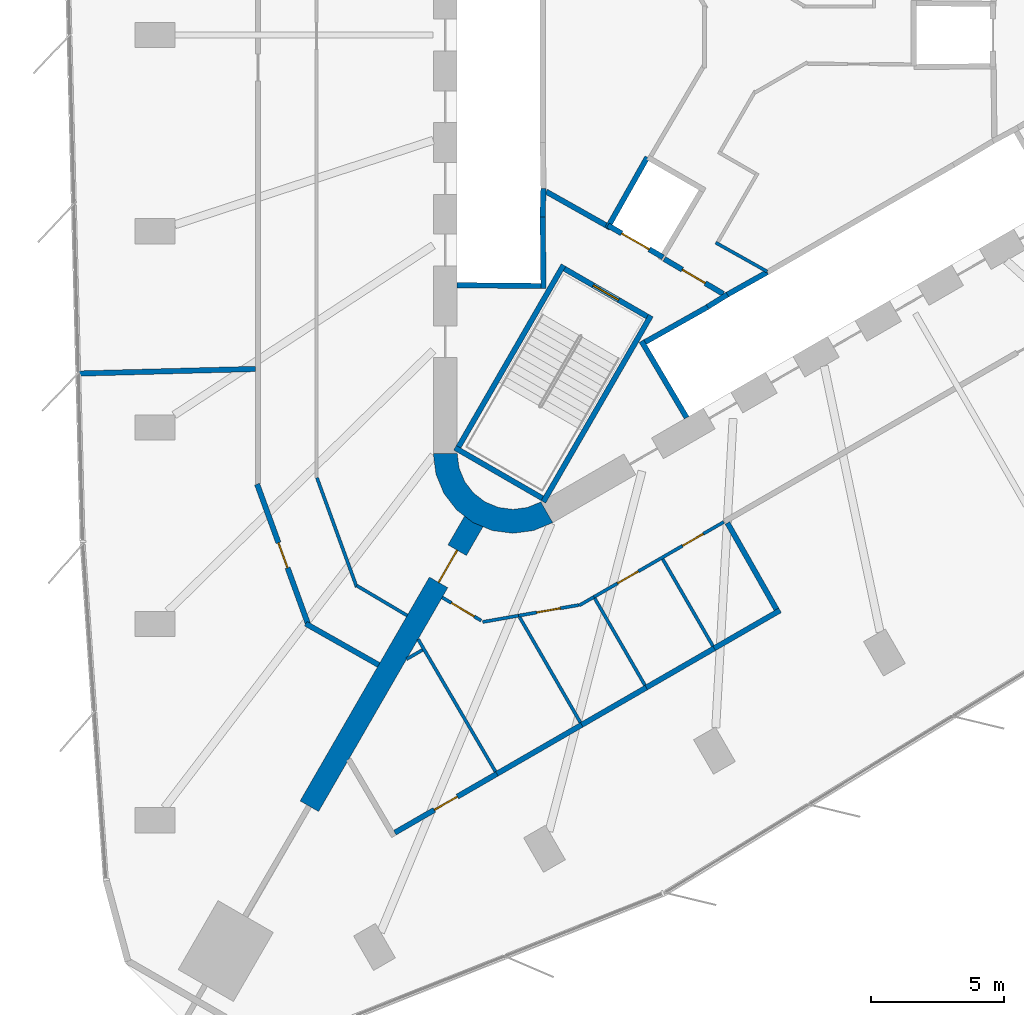
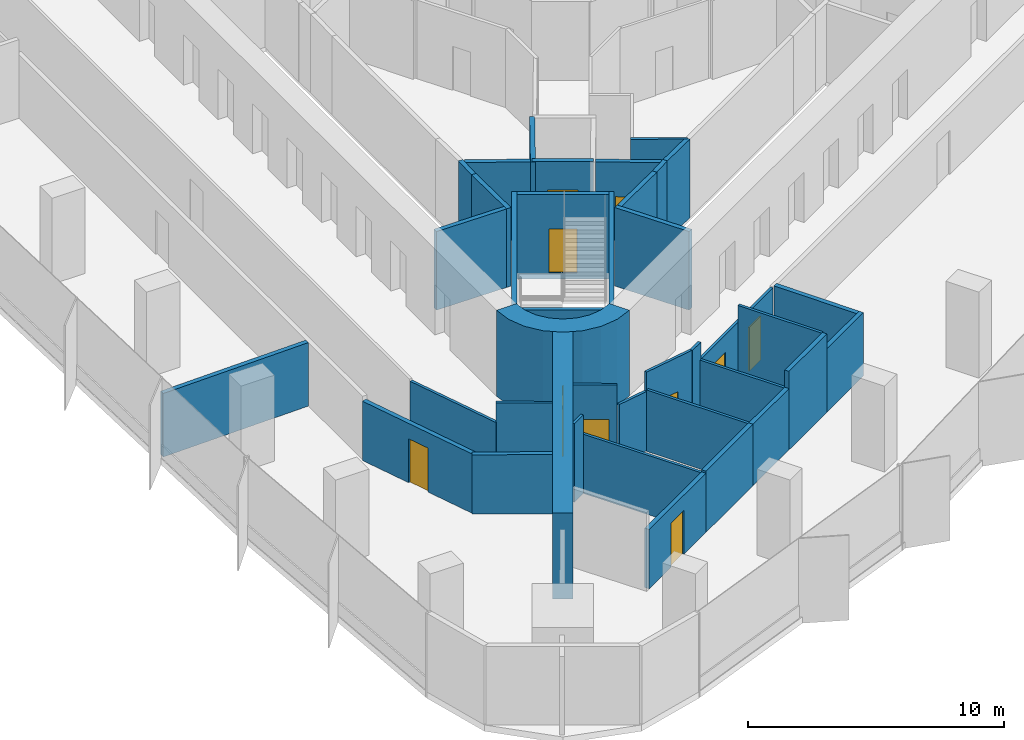
# One storey, part 8 of 14: 39 walls, 10 doors, 10 openings.
"""IFC4 building model written with IfcOpenShell, lengths in metres."""

from ifc_helpers import new_model, si_unit, direction, frame, frame_2d, origin, place, context, subcontext, project, spatial, polyline, rectangle, outline, extrude, material, layer, layer_set, type_object, element, fill, save


model = new_model("IFC4")

# Units and contexts
model_context = context("Model", 3, precision=1e-05, world=origin(), true_north=direction((0.0, 1.0)))
body_context = subcontext(model_context, "Body", "Model", "MODEL_VIEW")
ifc_project = project(units=[si_unit("LENGTHUNIT", "METRE"), si_unit("AREAUNIT", "SQUARE_METRE"), si_unit("VOLUMEUNIT", "CUBIC_METRE"), si_unit("PLANEANGLEUNIT", "RADIAN"), si_unit("MASSUNIT", "GRAM", prefix="KILO")], contexts=[model_context])

# Site, building, storey
site_placement = place(None, origin())
site = spatial("IfcSite", under=ifc_project, at=site_placement, CompositionType="ELEMENT")
building_placement = place(site_placement, origin())
building = spatial("IfcBuilding", under=site, at=building_placement, Name="Tanit Gate Tower", CompositionType="ELEMENT")
storey_placement = place(building_placement, frame((0.0, 0.0, 152.10009765625)))
storey = spatial("IfcBuildingStorey", under=building, at=storey_placement, Name="L33", CompositionType="ELEMENT", Elevation=152.10009765625)

# Wall, opening, door
ifc_material_1 = material(Name="Concrete C60/75", Category="concrete")
ifc_layer_1 = layer(ifc_material_1, 0.800048828125)
ifc_layer_set_1 = layer_set([ifc_layer_1], Name="BUTTRESS FIN 800 C60/75")
wall_type_1 = type_object("IfcWallType", Name="BUTTRESS FIN 800 C60/75", PredefinedType="SHEAR", material=ifc_layer_set_1)
wall_1_placement = place(storey_placement, frame((-10.574951171875, -18.31640625, 0.0), z_axis=(0.0, 0.0, 1.0), x_axis=(-0.500002326941, -0.86602406032, 0.0)))
wall_1 = element("IfcWall", 1, at=wall_1_placement, inside=storey, type_object=wall_type_1, Name="BUTTRESS FIN", PredefinedType="SHEAR", context=body_context, shape_type="SweptSolid", body=[
    extrude(rectangle(XDim=12.3837890625, YDim=0.800048828125, at=frame_2d((6.19189453125, 0.0))), origin(), (0.0, 0.0, 1.0), 4.099853515625),
])
opening_1_placement = place(wall_1_placement, frame((1.25, 0.0, 0.0)))
opening_1 = element("IfcOpeningElement", 2, at=opening_1_placement, cuts=wall_1, Name="Opening P14-S08-F-SW-1", PredefinedType="OPENING", context=body_context, shape_type="SweptSolid", body=[
    extrude(rectangle(XDim=1.39990234375, YDim=2.39990234375, at=frame_2d((0.699951171875, 1.199951171875))), frame((0.0, 0.41015625, 0.0), z_axis=(0.0, -1.0, 0.0), x_axis=(1.0, 0.0, 0.0)), (0.0, 0.0, 1.0), 0.820068359375),
])
ifc_material_2 = material(Name="Timber door leaf", Category="wood")
door_type_1 = type_object("IfcDoorType", Name="INT-DOOR-FIN-PAIR-1400", OperationType="NOTDEFINED", PredefinedType="NOTDEFINED", material=ifc_material_2)
door_1_placement = place(opening_1_placement, origin())
door_1 = element("IfcDoor", 3, at=door_1_placement, inside=storey, type_object=door_type_1, Name="Door P14-S08-F-SW-1", OperationType="DOUBLE_DOOR_SINGLE_SWING", OverallHeight=2.39990234375, OverallWidth=1.39990234375, PredefinedType="NOTDEFINED", context=body_context, shape_type="SweptSolid", body=[
    extrude(rectangle(XDim=1.39990234375, YDim=2.39990234375, at=frame_2d((0.699951171875, 1.199951171875))), frame((0.0, 0.02490234375, 0.0), z_axis=(0.0, -1.0, 0.0), x_axis=(1.0, 0.0, 0.0)), (0.0, 0.0, 1.0), 0.050048828125),
])
fill(opening_1, door_1)

# Walls
ifc_material_3 = material(Name="Concrete C60/75", Category="concrete")
ifc_layer_2 = layer(ifc_material_3, 0.89990234375)
ifc_layer_set_2 = layer_set([ifc_layer_2], Name="CORE WALL 900 C60/75")
wall_type_2 = type_object("IfcWallType", Name="CORE WALL 900 C60/75", PredefinedType="SHEAR", material=ifc_layer_set_2)
wall_2_placement = place(storey_placement, origin())
element("IfcWall", 4, at=wall_2_placement, inside=storey, type_object=wall_type_2, Name="CORE WALL CORNER", PredefinedType="SHEAR", context=body_context, shape_type="SweptSolid", body=[
    extrude(outline(polyline([(-12.10009765625, -15.76171875), (-11.997802734375, -16.5380859375), (-11.697998046875, -17.26171875), (-11.22119140625, -17.883056640625), (-10.60009765625, -18.359619140625), (-9.87646484375, -18.659423828125), (-9.10009765625, -18.76171875), (-8.323486328125, -18.659423828125), (-7.60009765625, -18.359619140625), (-8.050048828125, -17.580322265625), (-8.556396484375, -17.7900390625), (-9.10009765625, -17.86181640625), (-9.6435546875, -17.7900390625), (-10.14990234375, -17.580322265625), (-10.5849609375, -17.24658203125), (-10.918701171875, -16.811767578125), (-11.12841796875, -16.30517578125), (-11.199951171875, -15.76171875), (-12.10009765625, -15.76171875)])), origin(), (0.0, 0.0, 1.0), 4.099853515625),
])
ifc_material_4 = material(Name="Fire-rated gypsum board partition")
ifc_layer_3 = layer(ifc_material_4, 0.199951171875)
ifc_layer_set_3 = layer_set([ifc_layer_3], Name="INT-WALL-COMPARTMENT")
wall_type_3 = type_object("IfcWallType", Name="INT-WALL-COMPARTMENT", PredefinedType="PARTITIONING", material=ifc_layer_set_3)
wall_3_placement = place(storey_placement, frame((-7.84912109375, -5.893798828125, 0.0), z_axis=(0.0, 0.0, 1.0), x_axis=(0.871340486379, -0.490678873396, 0.0)))
element("IfcWall", 5, at=wall_3_placement, inside=storey, type_object=wall_type_3, Name="Wall Compartment W063", PredefinedType="PARTITIONING", context=body_context, shape_type="SweptSolid", body=[
    extrude(rectangle(XDim=2.580810546875, YDim=0.199951171875, at=frame_2d((1.29052734375, 0.0))), origin(), (0.0, 0.0, 1.0), 3.75),
])

# Wall, opening, door
wall_4_placement = place(storey_placement, frame((-3.400634765625, -8.43017578125, 0.0), z_axis=(0.0, 0.0, 1.0), x_axis=(0.860598681535, -0.509283721849, 0.0)))
wall_4 = element("IfcWall", 6, at=wall_4_placement, inside=storey, type_object=wall_type_3, Name="Wall Compartment W064", PredefinedType="PARTITIONING", context=body_context, shape_type="SweptSolid", body=[
    extrude(rectangle(XDim=2.5810546875, YDim=0.199951171875, at=frame_2d((1.29052734375, 0.0))), origin(), (0.0, 0.0, 1.0), 3.75),
])
opening_2_placement = place(wall_4_placement, frame((0.79052734375, 0.0, 0.0)))
opening_2 = element("IfcOpeningElement", 7, at=opening_2_placement, cuts=wall_4, Name="Opening F10-S08-08", PredefinedType="OPENING", context=body_context, shape_type="SweptSolid", body=[
    extrude(rectangle(XDim=1.0, YDim=2.10009765625, at=frame_2d((0.5, 1.050048828125))), frame((0.0, 0.10986328125, 0.0), z_axis=(0.0, -1.0, 0.0), x_axis=(1.0, 0.0, 0.0)), (0.0, 0.0, 1.0), 0.219970703125),
])
ifc_material_5 = material(Name="Fire-rated steel door leaf", Category="steel")
door_type_2 = type_object("IfcDoorType", Name="INT-DOOR-FIRE-1000", OperationType="NOTDEFINED", PredefinedType="USERDEFINED", material=ifc_material_5)
door_2_placement = place(opening_2_placement, origin())
door_2 = element("IfcDoor", 8, at=door_2_placement, inside=storey, type_object=door_type_2, Name="Door F10-S08-08", ObjectType="FIRE DOOR", OperationType="SINGLE_SWING_LEFT", OverallHeight=2.10009765625, OverallWidth=1.0, PredefinedType="USERDEFINED", context=body_context, shape_type="SweptSolid", body=[
    extrude(rectangle(XDim=1.0, YDim=2.10009765625, at=frame_2d((0.5, 1.050048828125))), frame((0.0, 0.02490234375, 0.0), z_axis=(0.0, -1.0, 0.0), x_axis=(1.0, 0.0, 0.0)), (0.0, 0.0, 1.0), 0.050048828125),
])
fill(opening_2, door_2)

# Wall
wall_5_placement = place(storey_placement, frame((-16.902587890625, -22.16552734375, 0.0), z_axis=(0.0, 0.0, 1.0), x_axis=(0.870335069356, -0.492460015686, 0.0)))
element("IfcWall", 9, at=wall_5_placement, inside=storey, type_object=wall_type_3, Name="Wall Compartment W091", PredefinedType="PARTITIONING", context=body_context, shape_type="SweptSolid", body=[
    extrude(rectangle(XDim=3.155517578125, YDim=0.199951171875, at=frame_2d((1.57763671875, 0.0))), origin(), (0.0, 0.0, 1.0), 2.829833984375),
])

# Wall, opening, door
wall_6_placement = place(storey_placement, frame((-18.734130859375, -16.910888671875, 0.0), z_axis=(0.0, 0.0, 1.0), x_axis=(0.342022840992, -0.939691638911, 0.0)))
wall_6 = element("IfcWall", 10, at=wall_6_placement, inside=storey, type_object=wall_type_3, Name="Wall Compartment W092", PredefinedType="PARTITIONING", context=body_context, shape_type="SweptSolid", body=[
    extrude(rectangle(XDim=5.60498046875, YDim=0.199951171875, at=frame_2d((2.802490234375, 0.0))), origin(), (0.0, 0.0, 1.0), 2.829833984375),
])
opening_3_placement = place(wall_6_placement, frame((2.352294921875, 0.0, 0.0)))
opening_3 = element("IfcOpeningElement", 11, at=opening_3_placement, cuts=wall_6, Name="Opening F10-S08-25", PredefinedType="OPENING", context=body_context, shape_type="SweptSolid", body=[
    extrude(rectangle(XDim=1.0, YDim=2.10009765625, at=frame_2d((0.5, 1.050048828125))), frame((0.0, 0.10986328125, 0.0), z_axis=(0.0, -1.0, 0.0), x_axis=(1.0, 0.0, 0.0)), (0.0, 0.0, 1.0), 0.219970703125),
])
door_3_placement = place(opening_3_placement, origin())
door_3 = element("IfcDoor", 12, at=door_3_placement, inside=storey, type_object=door_type_2, Name="Door F10-S08-25", ObjectType="FIRE DOOR", OperationType="SINGLE_SWING_LEFT", OverallHeight=2.10009765625, OverallWidth=1.0, PredefinedType="USERDEFINED", context=body_context, shape_type="SweptSolid", body=[
    extrude(rectangle(XDim=1.0, YDim=2.10009765625, at=frame_2d((0.5, 1.050048828125))), frame((0.0, 0.02490234375, 0.0), z_axis=(0.0, -1.0, 0.0), x_axis=(1.0, 0.0, 0.0)), (0.0, 0.0, 1.0), 0.050048828125),
])
fill(opening_3, door_3)

# Walls
wall_7_placement = place(storey_placement, frame((-25.456787109375, -12.74609375, 0.0), z_axis=(0.0, 0.0, 1.0), x_axis=(0.999663993994, 0.025921016788, 0.0)))
element("IfcWall", 13, at=wall_7_placement, inside=storey, type_object=wall_type_3, Name="Wall Compartment W115", PredefinedType="PARTITIONING", context=body_context, shape_type="SweptSolid", body=[
    extrude(rectangle(XDim=6.658935546875, YDim=0.199951171875, at=frame_2d((3.32958984375, 0.0))), origin(), (0.0, 0.0, 1.0), 3.02978515625),
])
wall_8_placement = place(storey_placement, frame((0.959716796875, -21.662353515625, 0.0), z_axis=(0.0, 0.0, 1.0), x_axis=(-0.866040716581, -0.499973476521, 0.0)))
element("IfcWall", 14, at=wall_8_placement, inside=storey, type_object=wall_type_3, Name="Wall Compartment W130", PredefinedType="PARTITIONING", context=body_context, shape_type="SweptSolid", body=[
    extrude(rectangle(XDim=2.862548828125, YDim=0.199951171875, at=frame_2d((1.43115234375, 0.0))), origin(), (0.0, 0.0, 1.0), 3.02978515625),
])
wall_9_placement = place(storey_placement, frame((-1.519287109375, -23.093505859375, 0.0), z_axis=(0.0, 0.0, 1.0), x_axis=(-0.865987495984, -0.500065652488, 0.0)))
element("IfcWall", 15, at=wall_9_placement, inside=storey, type_object=wall_type_3, Name="Wall Compartment W132", PredefinedType="PARTITIONING", context=body_context, shape_type="SweptSolid", body=[
    extrude(rectangle(XDim=2.95556640625, YDim=0.199951171875, at=frame_2d((1.477783203125, 0.0))), origin(), (0.0, 0.0, 1.0), 3.75),
])
wall_10_placement = place(storey_placement, frame((-4.078857421875, -24.571533203125, 0.0), z_axis=(0.0, 0.0, 1.0), x_axis=(-0.8660392398, -0.499976034552, 0.0)))
element("IfcWall", 16, at=wall_10_placement, inside=storey, type_object=wall_type_3, Name="Wall Compartment W133", PredefinedType="PARTITIONING", context=body_context, shape_type="SweptSolid", body=[
    extrude(rectangle(XDim=2.805908203125, YDim=0.199951171875, at=frame_2d((1.40283203125, 0.0))), origin(), (0.0, 0.0, 1.0), 2.929931640625),
])
wall_11_placement = place(storey_placement, frame((-6.5087890625, -25.974365234375, 0.0), z_axis=(0.0, 0.0, 1.0), x_axis=(-0.86602156466, -0.500006649499, 0.0)))
element("IfcWall", 17, at=wall_11_placement, inside=storey, type_object=wall_type_3, Name="Wall Compartment W134", PredefinedType="PARTITIONING", context=body_context, shape_type="SweptSolid", body=[
    extrude(rectangle(XDim=3.693359375, YDim=0.199951171875, at=frame_2d((1.8466796875, 0.0))), origin(), (0.0, 0.0, 1.0), 2.929931640625),
])

# Wall, opening, door
wall_12_placement = place(storey_placement, frame((-9.707275390625, -27.821044921875, 0.0), z_axis=(0.0, 0.0, 1.0), x_axis=(-0.866031500321, -0.49998944034, 0.0)))
wall_12 = element("IfcWall", 18, at=wall_12_placement, inside=storey, type_object=wall_type_3, Name="Wall Compartment W136", PredefinedType="PARTITIONING", context=body_context, shape_type="SweptSolid", body=[
    extrude(rectangle(XDim=4.4326171875, YDim=0.199951171875, at=frame_2d((2.21630859375, 0.0))), origin(), (0.0, 0.0, 1.0), 2.829833984375),
])
opening_4_placement = place(wall_12_placement, frame((1.71630859375, 0.0, 0.0)))
opening_4 = element("IfcOpeningElement", 19, at=opening_4_placement, cuts=wall_12, Name="Opening F10-S08-24", PredefinedType="OPENING", context=body_context, shape_type="SweptSolid", body=[
    extrude(rectangle(XDim=1.0, YDim=2.10009765625, at=frame_2d((0.5, 1.050048828125))), frame((0.0, 0.10986328125, 0.0), z_axis=(0.0, -1.0, 0.0), x_axis=(1.0, 0.0, 0.0)), (0.0, 0.0, 1.0), 0.219970703125),
])
door_4_placement = place(opening_4_placement, origin())
door_4 = element("IfcDoor", 20, at=door_4_placement, inside=storey, type_object=door_type_2, Name="Door F10-S08-24", ObjectType="FIRE DOOR", OperationType="SINGLE_SWING_RIGHT", OverallHeight=2.10009765625, OverallWidth=1.0, PredefinedType="USERDEFINED", context=body_context, shape_type="SweptSolid", body=[
    extrude(rectangle(XDim=1.0, YDim=2.10009765625, at=frame_2d((0.5, 1.050048828125))), frame((0.0, 0.02490234375, 0.0), z_axis=(0.0, -1.0, 0.0), x_axis=(1.0, 0.0, 0.0)), (0.0, 0.0, 1.0), 0.050048828125),
])
fill(opening_4, door_4)

# Walls
wall_13_placement = place(storey_placement, frame((-1.021484375, -18.3720703125, 0.0), z_axis=(0.0, 0.0, 1.0), x_axis=(0.493366643235, -0.869821450266, 0.0)))
element("IfcWall", 21, at=wall_13_placement, inside=storey, type_object=wall_type_3, Name="Wall Compartment W131", PredefinedType="PARTITIONING", context=body_context, shape_type="SweptSolid", body=[
    extrude(rectangle(XDim=3.739990234375, YDim=0.199951171875, at=frame_2d((1.8701171875, 0.0))), origin(), (0.0, 0.0, 1.0), 3.02978515625),
])
ifc_material_6 = material(Name="Gypsum board partition")
ifc_layer_4 = layer(ifc_material_6, 0.1201171875)
ifc_layer_set_4 = layer_set([ifc_layer_4], Name="INT-WALL-PARTITION")
wall_type_4 = type_object("IfcWallType", Name="INT-WALL-PARTITION", PredefinedType="PARTITIONING", material=ifc_layer_set_4)
wall_14_placement = place(storey_placement, frame((-1.464111328125, -7.81591796875, 0.0), z_axis=(0.0, 0.0, 1.0), x_axis=(0.871880202732, -0.489719217597, 0.0)))
element("IfcWall", 22, at=wall_14_placement, inside=storey, type_object=wall_type_4, Name="Wall Partition W068", PredefinedType="PARTITIONING", context=body_context, shape_type="SweptSolid", body=[
    extrude(rectangle(XDim=2.224365234375, YDim=0.1201171875, at=frame_2d((1.1123046875, 0.0))), origin(), (0.0, 0.0, 1.0), 3.75),
])
wall_15_placement = place(storey_placement, frame((-16.4794921875, -16.67333984375, 0.0), z_axis=(0.0, 0.0, 1.0), x_axis=(0.342025144217, -0.939690800595, 0.0)))
element("IfcWall", 23, at=wall_15_placement, inside=storey, type_object=wall_type_4, Name="Wall Partition W089", PredefinedType="PARTITIONING", context=body_context, shape_type="SweptSolid", body=[
    extrude(rectangle(XDim=4.377685546875, YDim=0.1201171875, at=frame_2d((2.18896484375, 0.0))), origin(), (0.0, 0.0, 1.0), 2.829833984375),
])
wall_16_placement = place(storey_placement, frame((-14.9833984375, -20.732421875, 0.0), z_axis=(0.0, 0.0, 1.0), x_axis=(0.860268204019, -0.509841756973, 0.0)))
element("IfcWall", 24, at=wall_16_placement, inside=storey, type_object=wall_type_4, Name="Wall Partition W090", PredefinedType="PARTITIONING", context=body_context, shape_type="SweptSolid", body=[
    extrude(rectangle(XDim=2.2099609375, YDim=0.1201171875, at=frame_2d((1.10498046875, 0.0))), origin(), (0.0, 0.0, 1.0), 3.75),
])
wall_17_placement = place(storey_placement, frame((-6.609375, -21.48291015625, 0.0), z_axis=(0.0, 0.0, 1.0), x_axis=(0.865865073245, 0.500277597875, 0.0)))
element("IfcWall", 25, at=wall_17_placement, inside=storey, type_object=wall_type_4, Name="Wall Partition W111", PredefinedType="PARTITIONING", context=body_context, shape_type="SweptSolid", body=[
    extrude(rectangle(XDim=0.647216796875, YDim=0.1201171875, at=frame_2d((0.32373046875, 0.0))), origin(), (0.0, 0.0, 1.0), 3.75),
])

# Wall, openings, doors
wall_18_placement = place(storey_placement, frame((-6.049072265625, -21.1591796875, 0.0), z_axis=(0.0, 0.0, 1.0), x_axis=(0.866040189422, 0.499974389651, 0.0)))
wall_18 = element("IfcWall", 26, at=wall_18_placement, inside=storey, type_object=wall_type_4, Name="Wall Partition W110", PredefinedType="PARTITIONING", context=body_context, shape_type="SweptSolid", body=[
    extrude(rectangle(XDim=5.648193359375, YDim=0.1201171875, at=frame_2d((2.82421875, 0.0))), origin(), (0.0, 0.0, 1.0), 2.929931640625),
])
opening_5_placement = place(wall_18_placement, frame((3.85205078125, 0.0, 0.0)))
opening_5 = element("IfcOpeningElement", 27, at=opening_5_placement, cuts=wall_18, Name="Opening D09-S08-20", PredefinedType="OPENING", context=body_context, shape_type="SweptSolid", body=[
    extrude(rectangle(XDim=0.89990234375, YDim=2.10009765625, at=frame_2d((0.449951171875, 1.050048828125))), frame((0.0, 0.070068359375, 0.0), z_axis=(0.0, -1.0, 0.0), x_axis=(1.0, 0.0, 0.0)), (0.0, 0.0, 1.0), 0.14013671875),
])
opening_6_placement = place(wall_18_placement, frame((1.02783203125, 0.0, 0.0)))
opening_6 = element("IfcOpeningElement", 28, at=opening_6_placement, cuts=wall_18, Name="Opening D09-S08-21", PredefinedType="OPENING", context=body_context, shape_type="SweptSolid", body=[
    extrude(rectangle(XDim=0.89990234375, YDim=2.10009765625, at=frame_2d((0.449951171875, 1.050048828125))), frame((0.0, 0.070068359375, 0.0), z_axis=(0.0, -1.0, 0.0), x_axis=(1.0, 0.0, 0.0)), (0.0, 0.0, 1.0), 0.14013671875),
])
ifc_material_7 = material(Name="Timber door leaf", Category="wood")
door_type_3 = type_object("IfcDoorType", Name="INT-DOOR-SINGLE-900", OperationType="NOTDEFINED", PredefinedType="NOTDEFINED", material=ifc_material_7)
door_5_placement = place(opening_5_placement, origin())
door_5 = element("IfcDoor", 29, at=door_5_placement, inside=storey, type_object=door_type_3, Name="Door D09-S08-20", OperationType="SINGLE_SWING_LEFT", OverallHeight=2.10009765625, OverallWidth=0.89990234375, PredefinedType="NOTDEFINED", context=body_context, shape_type="SweptSolid", body=[
    extrude(rectangle(XDim=0.89990234375, YDim=2.10009765625, at=frame_2d((0.449951171875, 1.050048828125))), frame((0.0, 0.02490234375, 0.0), z_axis=(0.0, -1.0, 0.0), x_axis=(1.0, 0.0, 0.0)), (0.0, 0.0, 1.0), 0.050048828125),
])
fill(opening_5, door_5)
door_6_placement = place(opening_6_placement, origin())
door_6 = element("IfcDoor", 30, at=door_6_placement, inside=storey, type_object=door_type_3, Name="Door D09-S08-21", OperationType="SINGLE_SWING_LEFT", OverallHeight=2.10009765625, OverallWidth=0.89990234375, PredefinedType="NOTDEFINED", context=body_context, shape_type="SweptSolid", body=[
    extrude(rectangle(XDim=0.89990234375, YDim=2.10009765625, at=frame_2d((0.449951171875, 1.050048828125))), frame((0.0, 0.02490234375, 0.0), z_axis=(0.0, -1.0, 0.0), x_axis=(1.0, 0.0, 0.0)), (0.0, 0.0, 1.0), 0.050048828125),
])
fill(opening_6, door_6)

# Wall
wall_19_placement = place(storey_placement, frame((-10.2392578125, -22.10205078125, 0.0), z_axis=(0.0, 0.0, 1.0), x_axis=(0.984801523662, 0.173683502361, 0.0)))
element("IfcWall", 31, at=wall_19_placement, inside=storey, type_object=wall_type_4, Name="Wall Partition W113", PredefinedType="PARTITIONING", context=body_context, shape_type="SweptSolid", body=[
    extrude(rectangle(XDim=1.36767578125, YDim=0.1201171875, at=frame_2d((0.683837890625, 0.0))), origin(), (0.0, 0.0, 1.0), 2.829833984375),
])

# Wall, opening, door
wall_20_placement = place(storey_placement, frame((-8.892333984375, -21.864501953125, 0.0), z_axis=(0.0, 0.0, 1.0), x_axis=(0.984802696179, 0.17367685395, 0.0)))
wall_20 = element("IfcWall", 32, at=wall_20_placement, inside=storey, type_object=wall_type_4, Name="Wall Partition W112", PredefinedType="PARTITIONING", context=body_context, shape_type="SweptSolid", body=[
    extrude(rectangle(XDim=2.31103515625, YDim=0.1201171875, at=frame_2d((1.155517578125, 0.0))), origin(), (0.0, 0.0, 1.0), 3.75),
])
opening_7_placement = place(wall_20_placement, frame((0.70556640625, 0.0, 0.0)))
opening_7 = element("IfcOpeningElement", 33, at=opening_7_placement, cuts=wall_20, Name="Opening D09-S08-22", PredefinedType="OPENING", context=body_context, shape_type="SweptSolid", body=[
    extrude(rectangle(XDim=0.89990234375, YDim=2.10009765625, at=frame_2d((0.449951171875, 1.050048828125))), frame((0.0, 0.070068359375, 0.0), z_axis=(0.0, -1.0, 0.0), x_axis=(1.0, 0.0, 0.0)), (0.0, 0.0, 1.0), 0.14013671875),
])
door_7_placement = place(opening_7_placement, origin())
door_7 = element("IfcDoor", 34, at=door_7_placement, inside=storey, type_object=door_type_3, Name="Door D09-S08-22", OperationType="SINGLE_SWING_RIGHT", OverallHeight=2.10009765625, OverallWidth=0.89990234375, PredefinedType="NOTDEFINED", context=body_context, shape_type="SweptSolid", body=[
    extrude(rectangle(XDim=0.89990234375, YDim=2.10009765625, at=frame_2d((0.449951171875, 1.050048828125))), frame((0.0, 0.02490234375, 0.0), z_axis=(0.0, -1.0, 0.0), x_axis=(1.0, 0.0, 0.0)), (0.0, 0.0, 1.0), 0.050048828125),
])
fill(opening_7, door_7)

wall_21_placement = place(storey_placement, frame((-11.764404296875, -21.176513671875, 0.0), z_axis=(0.0, 0.0, 1.0), x_axis=(0.859089516353, -0.511825363667, 0.0)))
wall_21 = element("IfcWall", 35, at=wall_21_placement, inside=storey, type_object=wall_type_4, Name="Wall Partition W114", PredefinedType="PARTITIONING", context=body_context, shape_type="SweptSolid", body=[
    extrude(rectangle(XDim=1.708984375, YDim=0.1201171875, at=frame_2d((0.8544921875, 0.0))), origin(), (0.0, 0.0, 1.0), 3.75),
])
opening_8_placement = place(wall_21_placement, frame((0.404541015625, 0.0, 0.0)))
opening_8 = element("IfcOpeningElement", 36, at=opening_8_placement, cuts=wall_21, Name="Opening D10-S08-23", PredefinedType="OPENING", context=body_context, shape_type="SweptSolid", body=[
    extrude(rectangle(XDim=1.0, YDim=2.10009765625, at=frame_2d((0.5, 1.050048828125))), frame((0.0, 0.070068359375, 0.0), z_axis=(0.0, -1.0, 0.0), x_axis=(1.0, 0.0, 0.0)), (0.0, 0.0, 1.0), 0.14013671875),
])
ifc_material_8 = material(Name="Timber door leaf", Category="wood")
door_type_4 = type_object("IfcDoorType", Name="INT-DOOR-SINGLE-1000", OperationType="NOTDEFINED", PredefinedType="NOTDEFINED", material=ifc_material_8)
door_8_placement = place(opening_8_placement, origin())
door_8 = element("IfcDoor", 37, at=door_8_placement, inside=storey, type_object=door_type_4, Name="Door D10-S08-23", OperationType="SINGLE_SWING_RIGHT", OverallHeight=2.10009765625, OverallWidth=1.0, PredefinedType="NOTDEFINED", context=body_context, shape_type="SweptSolid", body=[
    extrude(rectangle(XDim=1.0, YDim=2.10009765625, at=frame_2d((0.5, 1.050048828125))), frame((0.0, 0.02490234375, 0.0), z_axis=(0.0, -1.0, 0.0), x_axis=(1.0, 0.0, 0.0)), (0.0, 0.0, 1.0), 0.050048828125),
])
fill(opening_8, door_8)

# Walls
wall_22_placement = place(storey_placement, frame((-1.5693359375, -23.007080078125, 0.0), z_axis=(0.0, 0.0, 1.0), x_axis=(-0.499966587594, 0.866044693586, 0.0)))
element("IfcWall", 38, at=wall_22_placement, inside=storey, type_object=wall_type_4, Name="Wall Partition W140", PredefinedType="PARTITIONING", context=body_context, shape_type="SweptSolid", body=[
    extrude(rectangle(XDim=3.780029296875, YDim=0.1201171875, at=frame_2d((1.89013671875, 0.0))), origin(), (0.0, 0.0, 1.0), 3.75),
])
wall_23_placement = place(storey_placement, frame((-4.12890625, -24.48486328125, 0.0), z_axis=(0.0, 0.0, 1.0), x_axis=(-0.500015027522, 0.866016727467, 0.0)))
element("IfcWall", 39, at=wall_23_placement, inside=storey, type_object=wall_type_4, Name="Wall Partition W141", PredefinedType="PARTITIONING", context=body_context, shape_type="SweptSolid", body=[
    extrude(rectangle(XDim=3.7802734375, YDim=0.1201171875, at=frame_2d((1.89013671875, 0.0))), origin(), (0.0, 0.0, 1.0), 2.929931640625),
])
wall_24_placement = place(storey_placement, frame((-6.558837890625, -25.8876953125, 0.0), z_axis=(0.0, 0.0, 1.0), x_axis=(-0.499994486038, 0.866028587248, 0.0)))
element("IfcWall", 40, at=wall_24_placement, inside=storey, type_object=wall_type_4, Name="Wall Partition W142", PredefinedType="PARTITIONING", context=body_context, shape_type="SweptSolid", body=[
    extrude(rectangle(XDim=4.58349609375, YDim=0.1201171875, at=frame_2d((2.291748046875, 0.0))), origin(), (0.0, 0.0, 1.0), 2.929931640625),
])
wall_25_placement = place(storey_placement, frame((-12.672607421875, -22.74951171875, 0.0), z_axis=(0.0, 0.0, 1.0), x_axis=(0.504751362892, -0.863264769152, 0.0)))
element("IfcWall", 41, at=wall_25_placement, inside=storey, type_object=wall_type_4, Name="Wall Partition W143", PredefinedType="PARTITIONING", context=body_context, shape_type="SweptSolid", body=[
    extrude(rectangle(XDim=5.774658203125, YDim=0.1201171875, at=frame_2d((2.88720703125, 0.0))), origin(), (0.0, 0.0, 1.0), 2.829833984375),
])
wall_26_placement = place(storey_placement, frame((-12.505126953125, -23.15478515625, 0.0), z_axis=(0.0, 0.0, 1.0), x_axis=(-0.866138803259, -0.49980353489, 0.0)))
element("IfcWall", 42, at=wall_26_placement, inside=storey, type_object=wall_type_4, Name="Wall Partition W144", PredefinedType="PARTITIONING", context=body_context, shape_type="SweptSolid", body=[
    extrude(rectangle(XDim=0.695068359375, YDim=0.1201171875, at=frame_2d((0.34765625, 0.0))), origin(), (0.0, 0.0, 1.0), 3.75),
])
ifc_material_9 = material(Name="Gypsum shaft wall system")
ifc_layer_5 = layer(ifc_material_9, 0.199951171875)
ifc_layer_set_5 = layer_set([ifc_layer_5], Name="INT-WALL-SHAFT")
wall_type_5 = type_object("IfcWallType", Name="INT-WALL-SHAFT", PredefinedType="PLUMBINGWALL", material=ifc_layer_set_5)
wall_27_placement = place(storey_placement, frame((-7.949951171875, -5.7724609375, 0.0), z_axis=(0.0, 0.0, 1.0), x_axis=(-0.030803413295, -0.999525462272, 0.0)))
element("IfcWall", 43, at=wall_27_placement, inside=storey, type_object=wall_type_5, Name="Wall Shaft W009", PredefinedType="PLUMBINGWALL", context=body_context, shape_type="SweptSolid", body=[
    extrude(rectangle(XDim=1.077880859375, YDim=0.199951171875, at=frame_2d((0.5390625, 0.0))), origin(), (0.0, 0.0, 1.0), 3.75),
])
wall_28_placement = place(storey_placement, frame((-7.97900390625, -6.85009765625, 0.0), z_axis=(0.0, 0.0, 1.0), x_axis=(0.011121475088, -0.999938154483, 0.0)))
element("IfcWall", 44, at=wall_28_placement, inside=storey, type_object=wall_type_5, Name="Wall Shaft W011", PredefinedType="PLUMBINGWALL", context=body_context, shape_type="SweptSolid", body=[
    extrude(rectangle(XDim=2.7001953125, YDim=0.199951171875, at=frame_2d((1.35009765625, 0.0))), origin(), (0.0, 0.0, 1.0), 3.75),
])
wall_29_placement = place(storey_placement, frame((-8.050048828125, -9.448974609375, 0.0), z_axis=(0.0, 0.0, 1.0), x_axis=(-0.999957467379, 0.009222983926, 0.0)))
element("IfcWall", 45, at=wall_29_placement, inside=storey, type_object=wall_type_5, Name="Wall Shaft W012", PredefinedType="PLUMBINGWALL", context=body_context, shape_type="SweptSolid", body=[
    extrude(rectangle(XDim=3.150146484375, YDim=0.199951171875, at=frame_2d((1.5751953125, 0.0))), origin(), (0.0, 0.0, 1.0), 3.75),
])
wall_30_placement = place(storey_placement, frame((-2.557861328125, -14.409423828125, 0.0), z_axis=(0.0, 0.0, 1.0), x_axis=(-0.507997497166, 0.861358544901, 0.0)))
element("IfcWall", 46, at=wall_30_placement, inside=storey, type_object=wall_type_5, Name="Wall Shaft W027", PredefinedType="PLUMBINGWALL", context=body_context, shape_type="SweptSolid", body=[
    extrude(rectangle(XDim=3.350341796875, YDim=0.199951171875, at=frame_2d((1.67529296875, 0.0))), origin(), (0.0, 0.0, 1.0), 3.75),
])
wall_31_placement = place(storey_placement, frame((-1.7685546875, -10.23681640625, 0.0), z_axis=(0.0, 0.0, 1.0), x_axis=(-0.871534483978, -0.490334215854, 0.0)))
element("IfcWall", 47, at=wall_31_placement, inside=storey, type_object=wall_type_5, Name="Wall Shaft W028", PredefinedType="PLUMBINGWALL", context=body_context, shape_type="SweptSolid", body=[
    extrude(rectangle(XDim=2.7001953125, YDim=0.199951171875, at=frame_2d((1.35009765625, 0.0))), origin(), (0.0, 0.0, 1.0), 3.75),
])
wall_32_placement = place(storey_placement, frame((-1.02392578125, -9.77099609375, 0.0), z_axis=(0.0, 0.0, 1.0), x_axis=(-0.850348075135, -0.526220629693, 0.0)))
element("IfcWall", 48, at=wall_32_placement, inside=storey, type_object=wall_type_5, Name="Wall Shaft W029", PredefinedType="PLUMBINGWALL", context=body_context, shape_type="SweptSolid", body=[
    extrude(rectangle(XDim=0.878173828125, YDim=0.199951171875, at=frame_2d((0.43896484375, 0.0))), origin(), (0.0, 0.0, 1.0), 3.75),
])
wall_33_placement = place(storey_placement, frame((-1.13037109375, -9.83154296875, 0.0), z_axis=(0.0, 0.0, 1.0), x_axis=(0.871988740738, 0.489525929882, 0.0)))
element("IfcWall", 49, at=wall_33_placement, inside=storey, type_object=wall_type_5, Name="Wall Shaft W030", PredefinedType="PLUMBINGWALL", context=body_context, shape_type="SweptSolid", body=[
    extrude(rectangle(XDim=1.8447265625, YDim=0.199951171875, at=frame_2d((0.92236328125, 0.0))), origin(), (0.0, 0.0, 1.0), 3.75),
])

# Wall, opening, door
wall_34_placement = place(storey_placement, frame((-3.44580078125, -8.3681640625, 0.0), z_axis=(0.0, 0.0, 1.0), x_axis=(-0.866024647952, 0.500001309137, 0.0)))
wall_34 = element("IfcWall", 50, at=wall_34_placement, inside=storey, type_object=wall_type_5, Name="Wall Shaft W053", PredefinedType="PLUMBINGWALL", context=body_context, shape_type="SweptSolid", body=[
    extrude(rectangle(XDim=2.39990234375, YDim=0.199951171875, at=frame_2d((1.199951171875, 0.0))), origin(), (0.0, 0.0, 1.0), 3.75),
])
opening_9_placement = place(wall_34_placement, frame((0.60009765625, 0.0, 0.0)))
opening_9 = element("IfcOpeningElement", 51, at=opening_9_placement, cuts=wall_34, Name="Opening LDFL3-L33", PredefinedType="OPENING", context=body_context, shape_type="SweptSolid", body=[
    extrude(rectangle(XDim=1.199951171875, YDim=2.39990234375, at=frame_2d((0.60009765625, 1.199951171875))), frame((0.0, 0.10986328125, 0.0), z_axis=(0.0, -1.0, 0.0), x_axis=(1.0, 0.0, 0.0)), (0.0, 0.0, 1.0), 0.219970703125),
])
ifc_material_10 = material(Name="Stainless steel sliding door leaf", Category="steel")
door_type_5 = type_object("IfcDoorType", Name="INT-DOOR-LANDING-1200", OperationType="NOTDEFINED", PredefinedType="USERDEFINED", material=ifc_material_10)
door_9_placement = place(opening_9_placement, origin())
door_9 = element("IfcDoor", 52, at=door_9_placement, inside=storey, type_object=door_type_5, Name="Door LDFL3-L33", ObjectType="LANDING DOOR", OperationType="SLIDING_TO_LEFT", OverallHeight=2.39990234375, OverallWidth=1.199951171875, PredefinedType="USERDEFINED", context=body_context, shape_type="SweptSolid", body=[
    extrude(rectangle(XDim=1.199951171875, YDim=2.39990234375, at=frame_2d((0.60009765625, 1.199951171875))), frame((0.0, 0.02490234375, 0.0), z_axis=(0.0, -1.0, 0.0), x_axis=(1.0, 0.0, 0.0)), (0.0, 0.0, 1.0), 0.050048828125),
])
fill(opening_9, door_9)

# Walls
wall_35_placement = place(storey_placement, frame((-5.5625, -7.29638671875, 0.0), z_axis=(0.0, 0.0, 1.0), x_axis=(0.491322718731, 0.870977603649, 0.0)))
element("IfcWall", 53, at=wall_35_placement, inside=storey, type_object=wall_type_5, Name="Wall Shaft W054", PredefinedType="PLUMBINGWALL", context=body_context, shape_type="SweptSolid", body=[
    extrude(rectangle(XDim=3.10009765625, YDim=0.199951171875, at=frame_2d((1.550048828125, 0.0))), origin(), (0.0, 0.0, 1.0), 3.75),
])
ifc_material_11 = material(Name="Concrete C40/50", Category="concrete")
ifc_layer_6 = layer(ifc_material_11, 0.199951171875)
ifc_layer_set_6 = layer_set([ifc_layer_6], Name="INT-WALL-STAIR")
wall_type_6 = type_object("IfcWallType", Name="INT-WALL-STAIR", PredefinedType="SHEAR", material=ifc_layer_set_6)
wall_36_placement = place(storey_placement, frame((-3.904541015625, -10.56298828125, -0.300048828125), z_axis=(0.0, 0.0, 1.0), x_axis=(-0.500012932018, -0.866017937352, 0.0)))
element("IfcWall", 54, at=wall_36_placement, inside=storey, type_object=wall_type_6, Name="Wall Stair W049", PredefinedType="SHEAR", context=body_context, shape_type="SweptSolid", body=[
    extrude(rectangle(XDim=8.099853515625, YDim=0.199951171875, at=frame_2d((4.0498046875, 0.0))), origin(), (0.0, 0.0, 1.0), 4.050048828125),
])
wall_37_placement = place(storey_placement, frame((-11.281982421875, -15.541015625, -0.300048828125), z_axis=(0.0, 0.0, 1.0), x_axis=(0.866000483506, -0.500043160704, 0.0)))
element("IfcWall", 55, at=wall_37_placement, inside=storey, type_object=wall_type_6, Name="Wall Stair W050", PredefinedType="SHEAR", context=body_context, shape_type="SweptSolid", body=[
    extrude(rectangle(XDim=3.800048828125, YDim=0.199951171875, at=frame_2d((1.89990234375, 0.0))), origin(), (0.0, 0.0, 1.0), 4.050048828125),
])
wall_38_placement = place(storey_placement, frame((-7.195556640625, -8.662841796875, -0.300048828125), z_axis=(0.0, 0.0, 1.0), x_axis=(-0.499997992926, -0.866026562566, 0.0)))
element("IfcWall", 56, at=wall_38_placement, inside=storey, type_object=wall_type_6, Name="Wall Stair W051", PredefinedType="SHEAR", context=body_context, shape_type="SweptSolid", body=[
    extrude(rectangle(XDim=7.89990234375, YDim=0.199951171875, at=frame_2d((3.949951171875, 0.0))), origin(), (0.0, 0.0, 1.0), 4.050048828125),
])

# Wall, opening, door
wall_39_placement = place(storey_placement, frame((-4.041259765625, -10.599365234375, -0.300048828125), z_axis=(0.0, 0.0, 1.0), x_axis=(-0.866047807691, 0.499961193289, 0.0)))
wall_39 = element("IfcWall", 57, at=wall_39_placement, inside=storey, type_object=wall_type_6, Name="Wall Stair W052", PredefinedType="SHEAR", context=body_context, shape_type="SweptSolid", body=[
    extrude(rectangle(XDim=3.599853515625, YDim=0.199951171875, at=frame_2d((1.7998046875, 0.0))), origin(), (0.0, 0.0, 1.0), 4.050048828125),
])
opening_10_placement = place(wall_39_placement, frame((1.25, 0.0, 0.300048828125)))
opening_10 = element("IfcOpeningElement", 58, at=opening_10_placement, cuts=wall_39, Name="Opening S11-S08-07", PredefinedType="OPENING", context=body_context, shape_type="SweptSolid", body=[
    extrude(rectangle(XDim=1.10009765625, YDim=2.10009765625, at=frame_2d((0.550048828125, 1.050048828125))), frame((0.0, 0.10986328125, 0.0), z_axis=(0.0, -1.0, 0.0), x_axis=(1.0, 0.0, 0.0)), (0.0, 0.0, 1.0), 0.219970703125),
])
ifc_material_12 = material(Name="Timber door leaf", Category="wood")
door_type_6 = type_object("IfcDoorType", Name="INT-DOOR-STAIR-1100", OperationType="NOTDEFINED", PredefinedType="USERDEFINED", material=ifc_material_12)
door_10_placement = place(opening_10_placement, origin())
door_10 = element("IfcDoor", 59, at=door_10_placement, inside=storey, type_object=door_type_6, Name="Door S11-S08-07", ObjectType="FIRE DOOR", OperationType="SINGLE_SWING_LEFT", OverallHeight=2.10009765625, OverallWidth=1.10009765625, PredefinedType="USERDEFINED", context=body_context, shape_type="SweptSolid", body=[
    extrude(rectangle(XDim=1.10009765625, YDim=2.10009765625, at=frame_2d((0.550048828125, 1.050048828125))), frame((0.0, 0.02490234375, 0.0), z_axis=(0.0, -1.0, 0.0), x_axis=(1.0, 0.0, 0.0)), (0.0, 0.0, 1.0), 0.050048828125),
])
fill(opening_10, door_10)

save(model, "model.ifc")
